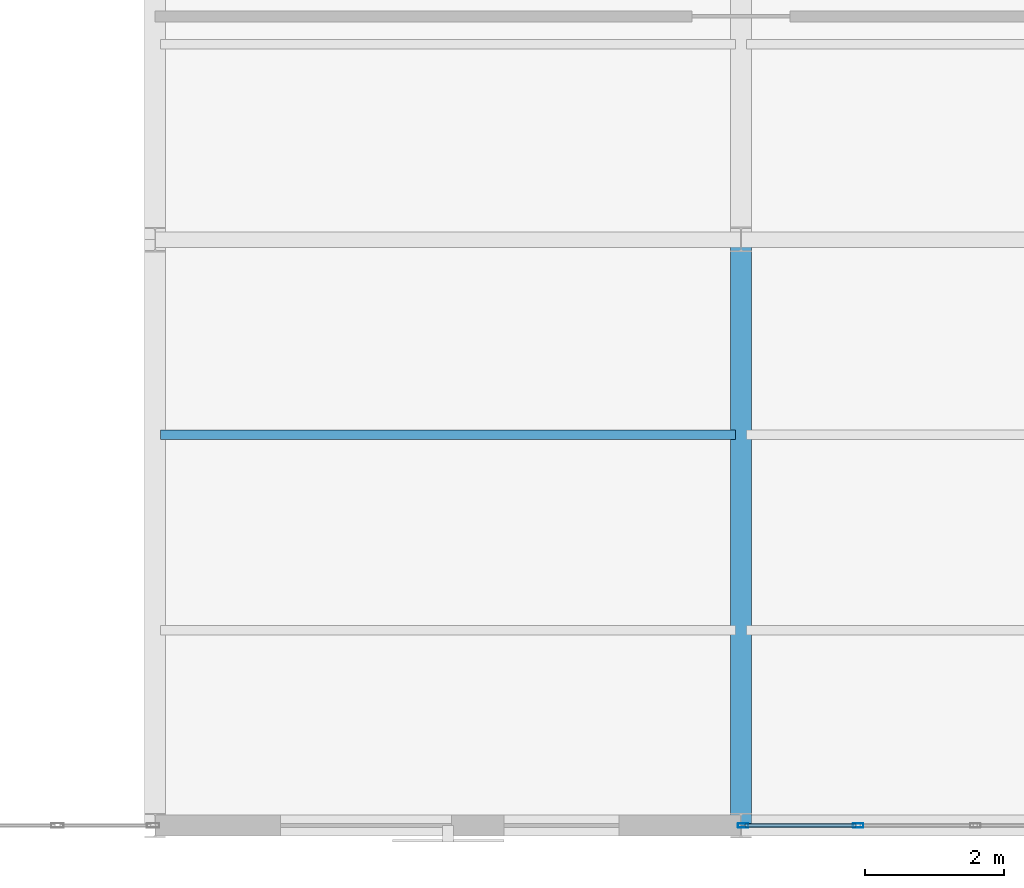
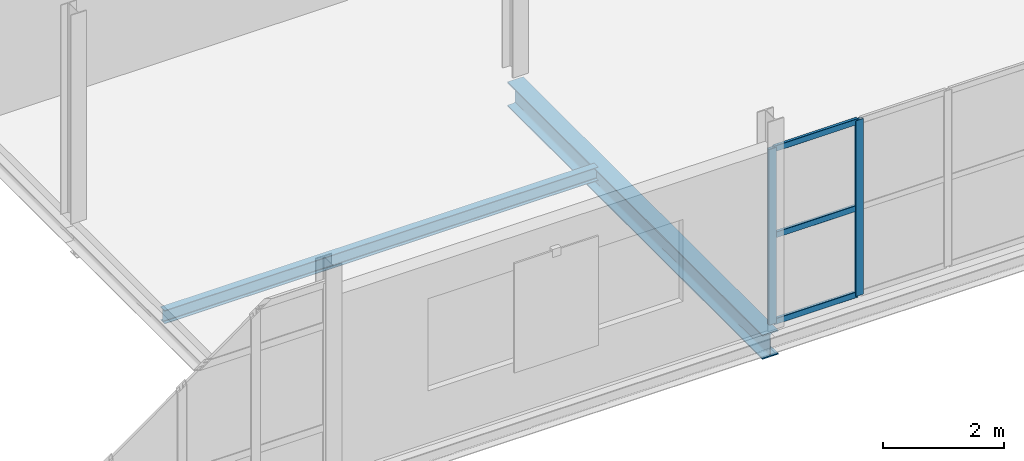
# One storey, part 64 of 163: 5 members, 2 beams, 1 element without a shape of its own.
"""IFC4 building model written with IfcOpenShell, lengths in metres."""

from ifc_helpers import new_model, si_unit, direction, frame, origin, origin_2d, place, context, subcontext, project, spatial, hollow_rectangle, i_section, extrude, material, layer, layer_set, material_profile, profile_set, type_object, element, aggregate, save


model = new_model("IFC4")

# Units and contexts
model_context = context("Model", 3, precision=1e-05, world=origin(), true_north=direction((0.0, 1.0)))
body_context = subcontext(model_context, "Body", "Model", "MODEL_VIEW")
ifc_project = project(units=[si_unit("LENGTHUNIT", "METRE"), si_unit("AREAUNIT", "SQUARE_METRE"), si_unit("VOLUMEUNIT", "CUBIC_METRE"), si_unit("PLANEANGLEUNIT", "RADIAN"), si_unit("MASSUNIT", "GRAM", prefix="KILO")], contexts=[model_context])

# Site, building, storey
site_placement = place(None, origin())
site = spatial("IfcSite", under=ifc_project, at=site_placement, CompositionType="ELEMENT")
building_placement = place(site_placement, origin())
building = spatial("IfcBuilding", under=site, at=building_placement, Name="Qalvenar Corner Mobility Hub", CompositionType="ELEMENT")
storey_placement = place(building_placement, frame((0.0, 0.0, 4.800048828125)))
storey = spatial("IfcBuildingStorey", under=building, at=storey_placement, Name="L01", CompositionType="ELEMENT", Elevation=4.800048828125)

# Beams
ifc_material_1 = material(Name="Steel S355", Category="steel")
ifc_material_profile_1 = material_profile(ifc_material_1, i_section(OverallWidth=0.300048828125, OverallDepth=0.489990234375, WebThickness=0.011962890625, FlangeThickness=0.02294921875, FilletRadius=0.027099609375, at=origin_2d()), Name="HEA500")
ifc_profile_set_1 = profile_set([ifc_material_profile_1], Name="Steel S355")
beam_type_1 = type_object("IfcBeamType", Name="BM-HEA500", PredefinedType="BEAM", material=ifc_profile_set_1)
beam_1_placement = place(storey_placement, frame((117.60009765625, 0.0, -0.425048828125), z_axis=(0.0, 1.0, 0.0), x_axis=(-1.0, 0.0, 0.0)))
element("IfcBeam", 1, at=beam_1_placement, inside=storey, type_object=beam_type_1, Name="Primary Steel Girder GY-1032", PredefinedType="BEAM", context=body_context, shape_type="SweptSolid", body=[
    extrude(i_section(OverallWidth=0.300048828125, OverallDepth=0.489990234375, WebThickness=0.011962890625, FlangeThickness=0.02294921875, FilletRadius=0.027099609375, at=origin_2d()), origin(), (0.0, 0.0, 1.0), 8.39990234375),
])
ifc_material_profile_2 = material_profile(ifc_material_1, i_section(OverallWidth=0.135009765625, OverallDepth=0.27001953125, WebThickness=0.006591796875, FlangeThickness=0.01025390625, FilletRadius=0.014892578125, at=origin_2d()), Name="IPE270")
ifc_profile_set_2 = profile_set([ifc_material_profile_2], Name="Steel S355")
beam_type_2 = type_object("IfcBeamType", Name="BM-JST270", PredefinedType="JOIST", material=ifc_profile_set_2)
beam_2_placement = place(storey_placement, frame((109.278076171875, 5.60009765625, -0.31494140625), z_axis=(1.0, 0.0, 0.0), x_axis=(0.0, 1.0, 0.0)))
element("IfcBeam", 2, at=beam_2_placement, inside=storey, type_object=beam_type_2, Name="Composite Floor Joist J-1075", PredefinedType="JOIST", context=body_context, shape_type="SweptSolid", body=[
    extrude(i_section(OverallWidth=0.135009765625, OverallDepth=0.27001953125, WebThickness=0.006591796875, FlangeThickness=0.01025390625, FilletRadius=0.014892578125, at=origin_2d()), origin(), (0.0, 0.0, 1.0), 8.243896484375),
])

# Curtain wall, members
ifc_material_2 = material(Name="Anodised Aluminium and Low-E Glazing", Category="aluminium")
ifc_layer = layer(ifc_material_2, 0.14990234375)
ifc_layer_set = layer_set([ifc_layer], Name="Anodised Aluminium and Low-E Glazing")
curtain_wall_type = type_object("IfcCurtainWallType", Name="CW-WKS-84X44", PredefinedType="NOTDEFINED", material=ifc_layer_set)
curtain_wall_placement = place(storey_placement, origin())
curtain_wall = element("IfcCurtainWall", 3, at=curtain_wall_placement, inside=storey, type_object=curtain_wall_type, Name="Glazed Curtain Wall CW-V6-L01-S1", PredefinedType="NOTDEFINED")
ifc_material_3 = material(Name="Anodised Aluminium 6063-T6", Category="aluminium")
ifc_material_profile_3 = material_profile(ifc_material_3, hollow_rectangle(XDim=0.06005859375, YDim=0.14990234375, WallThickness=0.00390625, InnerFilletRadius=0.00390625, OuterFilletRadius=0.008056640625, at=origin_2d()), Name="RHS150x60x4")
ifc_profile_set_3 = profile_set([ifc_material_profile_3], Name="Anodised Aluminium 6063-T6")
member_type_1 = type_object("IfcMemberType", Name="CW-MUL150", PredefinedType="MULLION", material=ifc_profile_set_3)
member_1_placement = place(storey_placement, frame((117.6298828125, 0.0, 0.0), z_axis=(0.0, 0.0, 1.0), x_axis=(0.0, 1.0, 0.0)))
member_1 = element("IfcMember", 4, at=member_1_placement, type_object=member_type_1, Name="CW-09 mullion 1", PredefinedType="MULLION", context=body_context, shape_type="SweptSolid", body=[
    extrude(hollow_rectangle(XDim=0.06005859375, YDim=0.14990234375, WallThickness=0.00390625, InnerFilletRadius=0.00390625, OuterFilletRadius=0.008056640625, at=origin_2d()), origin(), (0.0, 0.0, 1.0), 3.530029296875),
])
member_2_placement = place(storey_placement, frame((119.280029296875, 0.0, 0.0), z_axis=(0.0, 0.0, 1.0), x_axis=(0.0, 1.0, 0.0)))
member_2 = element("IfcMember", 5, at=member_2_placement, type_object=member_type_1, Name="CW-09 mullion 2", PredefinedType="MULLION", context=body_context, shape_type="SweptSolid", body=[
    extrude(hollow_rectangle(XDim=0.06005859375, YDim=0.14990234375, WallThickness=0.00390625, InnerFilletRadius=0.00390625, OuterFilletRadius=0.008056640625, at=origin_2d()), origin(), (0.0, 0.0, 1.0), 3.530029296875),
])
ifc_material_profile_4 = material_profile(ifc_material_3, hollow_rectangle(XDim=0.054931640625, YDim=0.1201171875, WallThickness=0.00341796875, InnerFilletRadius=0.00341796875, OuterFilletRadius=0.007080078125, at=origin_2d()), Name="RHS120x55x3.5")
ifc_profile_set_4 = profile_set([ifc_material_profile_4], Name="Anodised Aluminium 6063-T6")
member_type_2 = type_object("IfcMemberType", Name="CW-TRN120", PredefinedType="USERDEFINED", material=ifc_profile_set_4)
member_3_placement = place(storey_placement, frame((117.659912109375, 0.0, 0.02734375), z_axis=(1.0, 0.0, 0.0), x_axis=(0.0, 1.0, 0.0)))
member_3 = element("IfcMember", 6, at=member_3_placement, type_object=member_type_2, Name="CW-09 transom 1.1", ObjectType="TRANSOM", PredefinedType="USERDEFINED", context=body_context, shape_type="SweptSolid", body=[
    extrude(hollow_rectangle(XDim=0.054931640625, YDim=0.1201171875, WallThickness=0.00341796875, InnerFilletRadius=0.00341796875, OuterFilletRadius=0.007080078125, at=origin_2d()), origin(), (0.0, 0.0, 1.0), 1.590087890625),
])
member_4_placement = place(storey_placement, frame((117.659912109375, 0.0, 1.764892578125), z_axis=(1.0, 0.0, 0.0), x_axis=(0.0, 1.0, 0.0)))
member_4 = element("IfcMember", 7, at=member_4_placement, type_object=member_type_2, Name="CW-09 transom 1.2", ObjectType="TRANSOM", PredefinedType="USERDEFINED", context=body_context, shape_type="SweptSolid", body=[
    extrude(hollow_rectangle(XDim=0.054931640625, YDim=0.1201171875, WallThickness=0.00341796875, InnerFilletRadius=0.00341796875, OuterFilletRadius=0.007080078125, at=origin_2d()), origin(), (0.0, 0.0, 1.0), 1.590087890625),
])
member_5_placement = place(storey_placement, frame((117.659912109375, 0.0, 3.50244140625), z_axis=(1.0, 0.0, 0.0), x_axis=(0.0, 1.0, 0.0)))
member_5 = element("IfcMember", 8, at=member_5_placement, type_object=member_type_2, Name="CW-09 transom 1.3", ObjectType="TRANSOM", PredefinedType="USERDEFINED", context=body_context, shape_type="SweptSolid", body=[
    extrude(hollow_rectangle(XDim=0.054931640625, YDim=0.1201171875, WallThickness=0.00341796875, InnerFilletRadius=0.00341796875, OuterFilletRadius=0.007080078125, at=origin_2d()), origin(), (0.0, 0.0, 1.0), 1.590087890625),
])
aggregate(curtain_wall, [member_1, member_2, member_3, member_4, member_5])

save(model, "model.ifc")
